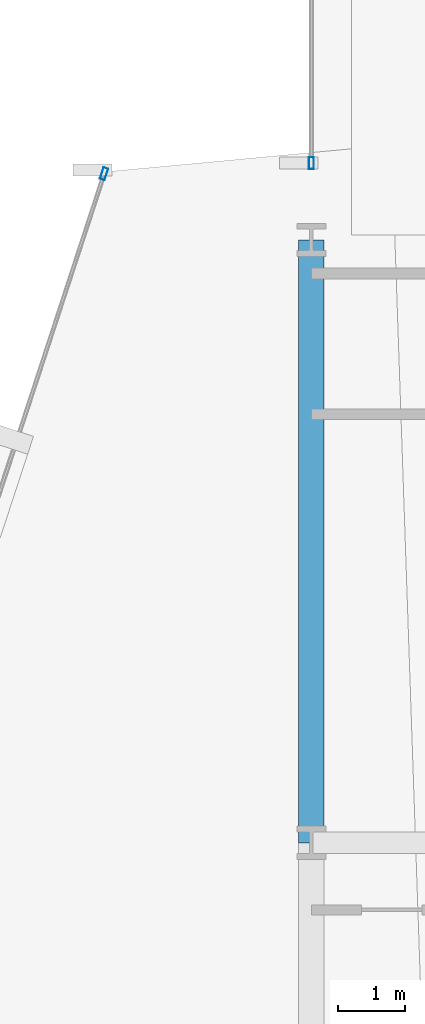
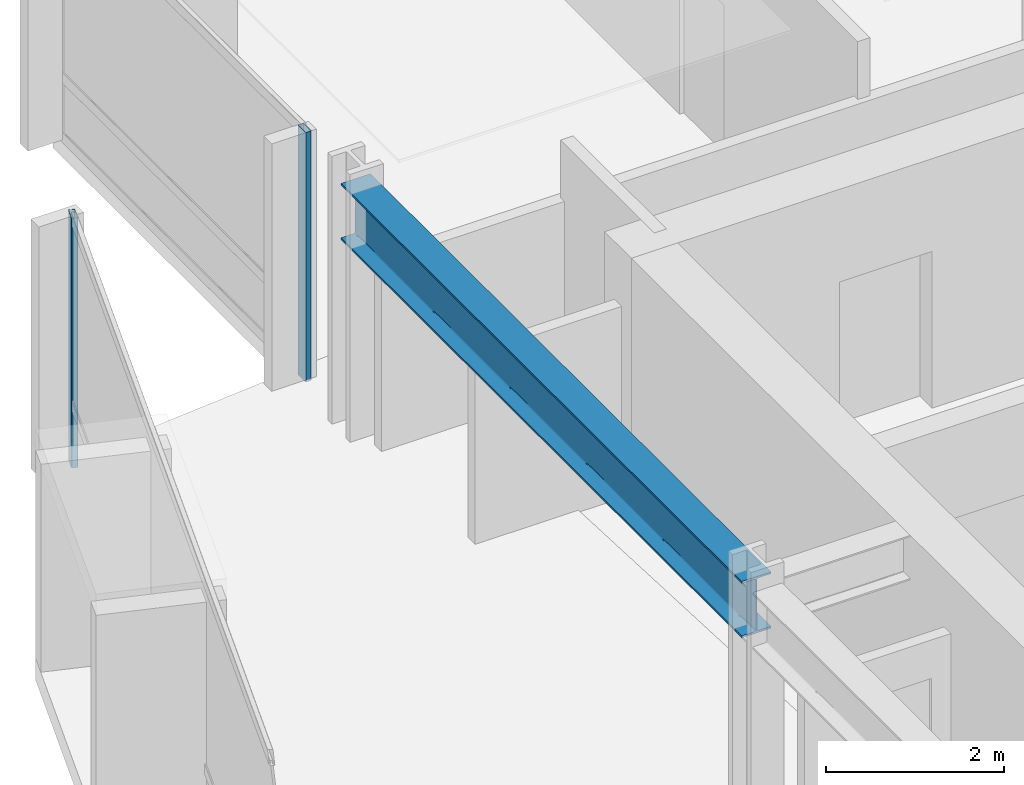
# One storey, part 19 of 34: 2 members, 1 beam, 2 elements without a shape of their own.
"""IFC4 building model written with IfcOpenShell, lengths in metres."""

from ifc_helpers import new_model, si_unit, direction, frame, origin, origin_2d, place, context, subcontext, project, spatial, hollow_rectangle, i_section, extrude, material, layer, layer_set, material_profile, profile_set, type_object, element, aggregate, save


model = new_model("IFC4")

# Units and contexts
model_context = context("Model", 3, precision=1e-05, world=origin(), true_north=direction((0.0, 1.0)))
body_context = subcontext(model_context, "Body", "Model", "MODEL_VIEW")
ifc_project = project(units=[si_unit("LENGTHUNIT", "METRE"), si_unit("AREAUNIT", "SQUARE_METRE"), si_unit("VOLUMEUNIT", "CUBIC_METRE"), si_unit("PLANEANGLEUNIT", "RADIAN"), si_unit("MASSUNIT", "GRAM", prefix="KILO")], contexts=[model_context])

# Site, building, storey
site_placement = place(None, origin())
site = spatial("IfcSite", under=ifc_project, at=site_placement, CompositionType="ELEMENT")
building_placement = place(site_placement, origin())
building = spatial("IfcBuilding", under=site, at=building_placement, Name="Solvaryn Broadcast Tower", CompositionType="ELEMENT")
storey_placement = place(building_placement, frame((0.0, 0.0, 39.699951171875)))
storey = spatial("IfcBuildingStorey", under=building, at=storey_placement, Name="L08", CompositionType="ELEMENT", Elevation=39.699951171875)

# Beam
ifc_material_1 = material(Name="Steel ASTM A992 Grade 50", Category="steel")
ifc_material_profile_1 = material_profile(ifc_material_1, i_section(OverallWidth=0.381103515625, OverallDepth=0.77294921875, WebThickness=0.0166015625, FlangeThickness=0.027099609375, FilletRadius=0.01806640625, at=origin_2d()))
ifc_profile_set_1 = profile_set([ifc_material_profile_1], Name="Steel ASTM A992 Grade 50")
beam_type = type_object("IfcBeamType", Name="BM-SP1-W30X173", PredefinedType="USERDEFINED", material=ifc_profile_set_1)
beam_placement = place(storey_placement, frame((9.0, 36.0, 3.033447265625), z_axis=(0.0, 1.0, 0.0), x_axis=(-1.0, 0.0, 0.0)))
element("IfcBeam", 1, at=beam_placement, inside=storey, type_object=beam_type, Name="L08 Spandrel Beam Y (36-45 @ X=9)", ObjectType="SPANDREL", PredefinedType="USERDEFINED", context=body_context, shape_type="SweptSolid", body=[
    extrude(i_section(OverallWidth=0.381103515625, OverallDepth=0.77294921875, WebThickness=0.0166015625, FlangeThickness=0.027099609375, FilletRadius=0.01806640625, at=origin_2d()), origin(), (0.0, 0.0, 1.0), 9.0),
])

# Curtain wall, member
ifc_material_2 = material(Name="Aluminium and Terracotta Unitised Curtain Wall", Category="masonry")
ifc_layer = layer(ifc_material_2, 0.199951171875)
ifc_layer_set = layer_set([ifc_layer], Name="CW-SYS2-LOWMID")
curtain_wall_type = type_object("IfcCurtainWallType", Name="CW-SYS2-LOWMID", PredefinedType="NOTDEFINED", material=ifc_layer_set)
curtain_wall_1_placement = place(storey_placement, origin())
curtain_wall_1 = element("IfcCurtainWall", 2, at=curtain_wall_1_placement, inside=storey, type_object=curtain_wall_type, Name="L08 Curtain Wall DR1", PredefinedType="NOTDEFINED")
ifc_material_3 = material(Name="Anodised Aluminium 6063-T6", Category="aluminium")
ifc_material_profile_2 = material_profile(ifc_material_3, hollow_rectangle(XDim=0.074951171875, YDim=0.179931640625, WallThickness=0.00390625, InnerFilletRadius=0.00390625, OuterFilletRadius=0.008056640625, at=origin_2d()))
ifc_profile_set_2 = profile_set([ifc_material_profile_2], Name="Anodised Aluminium 6063-T6")
member_type = type_object("IfcMemberType", Name="CW-MUL-180", PredefinedType="MULLION", material=ifc_profile_set_2)
member_1_placement = place(storey_placement, frame((5.90673828125, 45.987548828125, 0.0), z_axis=(0.0, 0.0, 1.0), x_axis=(0.950215318429, -0.311594044587, 0.0)))
member_1 = element("IfcMember", 3, at=member_1_placement, type_object=member_type, Name="CWS2 mullion 1", PredefinedType="MULLION", context=body_context, shape_type="SweptSolid", body=[
    extrude(hollow_rectangle(XDim=0.074951171875, YDim=0.179931640625, WallThickness=0.00390625, InnerFilletRadius=0.00390625, OuterFilletRadius=0.008056640625, at=origin_2d()), origin(), (0.0, 0.0, 1.0), 3.420166015625),
])
aggregate(curtain_wall_1, [member_1])

curtain_wall_2_placement = place(storey_placement, origin())
curtain_wall_2 = element("IfcCurtainWall", 4, at=curtain_wall_2_placement, inside=storey, type_object=curtain_wall_type, Name="L08 Curtain Wall W2", PredefinedType="NOTDEFINED")
member_2_placement = place(storey_placement, frame((9.0, 46.14599609375, 0.0), z_axis=(0.0, 0.0, 1.0), x_axis=(-1.0, 0.0, 0.0)))
member_2 = element("IfcMember", 5, at=member_2_placement, type_object=member_type, Name="CWS2 mullion 1", PredefinedType="MULLION", context=body_context, shape_type="SweptSolid", body=[
    extrude(hollow_rectangle(XDim=0.074951171875, YDim=0.179931640625, WallThickness=0.00390625, InnerFilletRadius=0.00390625, OuterFilletRadius=0.008056640625, at=origin_2d()), origin(), (0.0, 0.0, 1.0), 3.420166015625),
])
aggregate(curtain_wall_2, [member_2])

save(model, "model.ifc")
